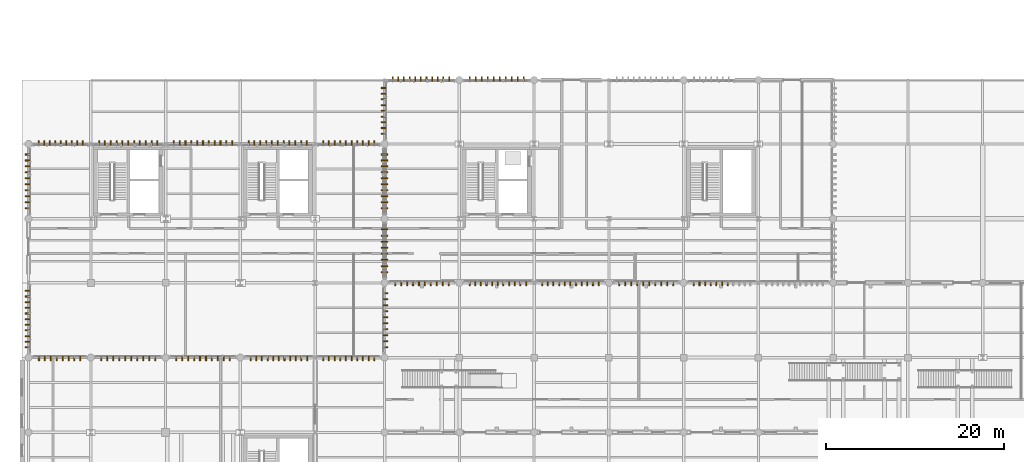
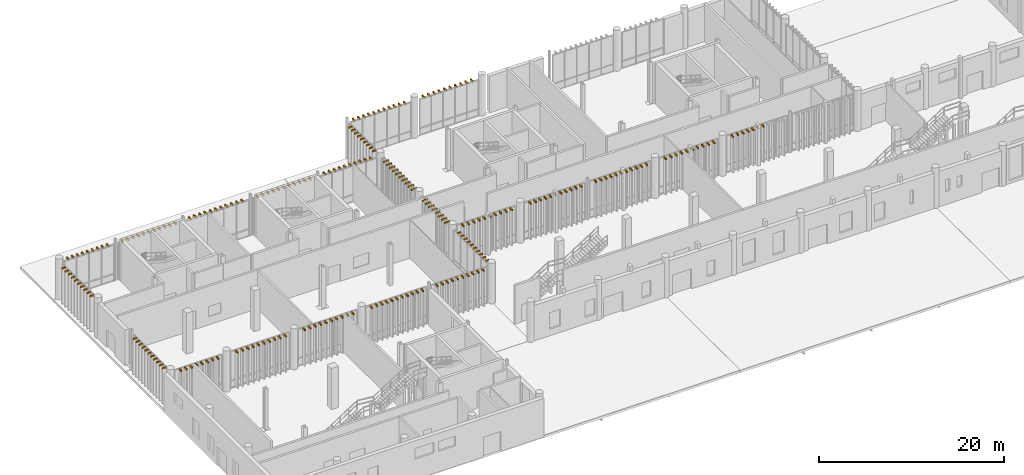
# One storey, part 109 of 112: 247 shading devices.
"""IFC4 building model written with IfcOpenShell, lengths in metres."""

import ifcopenshell
import ifcopenshell.guid

model = None  # the IFC model being written
_history = None  # IfcOwnerHistory: only IFC2X3 demands one
_inside = {}  # id of a spatial element -> (the spatial element, [elements in it])
_under = {}  # id of a project, library or spatial element -> (it, [spatial elements below it])
_declared = {}  # id of a project -> (the project, [libraries it declares])
_typed = {}  # id of a type object -> (the type object, [elements of that type])
_made_of = {}  # id of a material, layer set ... -> (it, [elements and type objects made of it])


def new_model(schema):
    """Start an empty IFC model of exactly this schema.

    Asked for "IFC4X3", IfcOpenShell would pick the latest addendum, in which some entities
    have other attributes; the version numbers below select the first issue.
    IFC2X3 requires an IfcOwnerHistory on every rooted entity: one is made here for all.
    """
    global model, _history
    if schema == "IFC4X3":
        model = ifcopenshell.file(schema_version=(4, 3, 0, 0))
    else:
        model = ifcopenshell.file(schema=schema)
    _inside.clear()
    _under.clear()
    _declared.clear()
    _typed.clear()
    _made_of.clear()
    _history = None
    if model.schema == "IFC2X3":
        org = make("IfcOrganization", Name="unknown")
        user = make(
            "IfcPersonAndOrganization",
            ThePerson=make("IfcPerson", FamilyName="unknown"),
            TheOrganization=org,
        )
        app = make(
            "IfcApplication",
            ApplicationDeveloper=org,
            Version="unknown",
            ApplicationFullName="unknown",
            ApplicationIdentifier="unknown",
        )
        _history = make(
            "IfcOwnerHistory",
            OwningUser=user,
            OwningApplication=app,
            ChangeAction="ADDED",
            CreationDate=0,
        )
    return model


def make(cls, **values):
    """One entity of the class cls with the attributes given. An attribute that is None is left unset."""
    return model.create_entity(
        cls, **{name: value for name, value in values.items() if value is not None}
    )


def rooted(cls, **values):
    """An entity with a GlobalId (a new one), such as an element, a storey or a relation."""
    return make(cls, GlobalId=ifcopenshell.guid.new(), OwnerHistory=_history, **values)


def si_unit(unit_type, name, prefix=None):
    """IfcSIUnit, for example si_unit("LENGTHUNIT", "METRE", prefix="MILLI")."""
    return make("IfcSIUnit", UnitType=unit_type, Prefix=prefix, Name=name)


def assignment(units):
    """IfcUnitAssignment: the units of a project."""
    return None if units is None else make("IfcUnitAssignment", Units=units)


def point(xyz):
    """IfcCartesianPoint."""
    return None if xyz is None else make("IfcCartesianPoint", Coordinates=xyz)


def direction(xyz):
    """IfcDirection."""
    return None if xyz is None else make("IfcDirection", DirectionRatios=xyz)


def frame(location, z_axis=None, x_axis=None):
    """IfcAxis2Placement3D, a coordinate frame: its origin and axes. An axis left out is left unset."""
    return make(
        "IfcAxis2Placement3D",
        Location=point(location),
        Axis=direction(z_axis),
        RefDirection=direction(x_axis),
    )


def frame_2d(location, x_axis=None):
    """IfcAxis2Placement2D, a coordinate frame in the plane: its origin and x axis."""
    return make(
        "IfcAxis2Placement2D", Location=point(location), RefDirection=direction(x_axis)
    )


def origin_with_axes():
    """The frame at (0, 0, 0) with the z axis (0, 0, 1) and the x axis (1, 0, 0) written out."""
    return frame((0.0, 0.0, 0.0), z_axis=(0.0, 0.0, 1.0), x_axis=(1.0, 0.0, 0.0))


def origin_2d_with_axis():
    """The frame at (0, 0) in the plane with the x axis (1, 0) written out."""
    return frame_2d((0.0, 0.0), x_axis=(1.0, 0.0))


def place(relative_to, where):
    """IfcLocalPlacement: puts the frame where relative to a parent placement (None: the world)."""
    return make(
        "IfcLocalPlacement", PlacementRelTo=relative_to, RelativePlacement=where
    )


def context(
    kind, dimensions, precision=None, world=None, true_north=None, identifier=None
):
    """IfcGeometricRepresentationContext, for example the 3D "Model" context."""
    return make(
        "IfcGeometricRepresentationContext",
        ContextIdentifier=identifier,
        ContextType=kind,
        CoordinateSpaceDimension=dimensions,
        Precision=precision,
        WorldCoordinateSystem=world,
        TrueNorth=true_north,
    )


def subcontext(parent, identifier, kind, view, scale=None):
    """IfcGeometricRepresentationSubContext, for example "Body" below "Model"."""
    return make(
        "IfcGeometricRepresentationSubContext",
        ContextIdentifier=identifier,
        ContextType=kind,
        ParentContext=parent,
        TargetScale=scale,
        TargetView=view,
    )


def project(units=None, contexts=None):
    """IfcProject with its units and contexts."""
    return rooted(
        "IfcProject",
        Name="project",
        RepresentationContexts=contexts,
        UnitsInContext=assignment(units),
    )


def spatial(cls, under=None, at=None, **own):
    """A site, building, storey or space (cls), placed at a placement, below another one or the project."""
    s = rooted(cls, ObjectPlacement=at, **own)
    if under is not None:
        _under.setdefault(under.id(), (under, []))[1].append(s)
    return s


def profile(cls, at=None, kind="AREA", **sizes):
    """A parametric profile (cls). Its sizes go by their IFC names, for example OverallWidth=200.0."""
    return make(cls, ProfileType=kind, Position=at, **sizes)


def rectangle(**sizes):
    """IfcRectangleProfileDef."""
    return profile("IfcRectangleProfileDef", **sizes)


def extrude(swept, where, along, depth):
    """IfcExtrudedAreaSolid: the profile swept, set in the frame where, extruded along a direction by depth."""
    return make(
        "IfcExtrudedAreaSolid",
        SweptArea=swept,
        Position=where,
        ExtrudedDirection=direction(along),
        Depth=depth,
    )


def shape(context_of_items, identifier, shape_type, items):
    """IfcShapeRepresentation: the items that make up one representation, for example the "Body"."""
    return make(
        "IfcShapeRepresentation",
        ContextOfItems=context_of_items,
        RepresentationIdentifier=identifier,
        RepresentationType=shape_type,
        Items=items,
    )


def material(Name=None, Category=None):
    """IfcMaterial."""
    return make("IfcMaterial", Name=Name, Category=Category)


def made_of(thing, what):
    """Note that an element or type object is made of a material, layer set ...; save() writes the relation."""
    if what is not None:
        _made_of.setdefault(what.id(), (what, []))[1].append(thing)
    return thing


def type_object(cls, material=None, **own):
    """A type object (cls), such as IfcWallType, which elements share."""
    return made_of(rooted(cls, **own), material)


def element(
    cls,
    number,
    at=None,
    inside=None,
    cuts=None,
    type_object=None,
    material=None,
    context=None,
    identifier="Body",
    shape_type=None,
    held_by="IfcProductDefinitionShape",
    body=None,
    shapes=None,
    **own,
):
    """One element of the class cls, such as IfcWall. Its Tag is "e" and its number.

    at: its placement. inside: the storey or other place that contains it. cuts: it is an
    opening in that element (IfcRelVoidsElement). A single representation is given by context,
    identifier, shape_type and body (its items); several are given by shapes. held_by: the class
    of the entity that holds the representations. save() writes the other relations.
    """
    e = rooted(cls, Tag="e%d" % number, ObjectPlacement=at, **own)
    if body is not None:
        shapes = [shape(context, identifier, shape_type, body)]
    if shapes is not None:
        e.Representation = make(held_by, Representations=shapes)
    if inside is not None:
        _inside.setdefault(inside.id(), (inside, []))[1].append(e)
    if cuts is not None:
        rooted(
            "IfcRelVoidsElement", RelatingBuildingElement=cuts, RelatedOpeningElement=e
        )
    if type_object is not None:
        _typed.setdefault(type_object.id(), (type_object, []))[1].append(e)
    return made_of(e, material)


def aggregate(whole, parts):
    """IfcRelAggregates: a whole, such as a stair, and the parts it consists of."""
    return rooted("IfcRelAggregates", RelatingObject=whole, RelatedObjects=parts)


def save(model, path):
    """Write the relations noted so far, then the file.

    IfcRelAggregates (storeys below a building ...), IfcRelContainedInSpatialStructure (elements
    in a storey), IfcRelDefinesByType, IfcRelAssociatesMaterial and IfcRelDeclares: one each for
    every whole, place, type object, material and project.
    """
    for whole, parts in _under.values():
        aggregate(whole, parts)
    for where, things in _inside.values():
        rooted(
            "IfcRelContainedInSpatialStructure",
            RelatedElements=things,
            RelatingStructure=where,
        )
    for kind, things in _typed.values():
        rooted("IfcRelDefinesByType", RelatedObjects=things, RelatingType=kind)
    for what, things in _made_of.values():
        rooted("IfcRelAssociatesMaterial", RelatedObjects=things, RelatingMaterial=what)
    for by, libraries in _declared.values():
        rooted("IfcRelDeclares", RelatingContext=by, RelatedDefinitions=libraries)
    model.write(path)


model = new_model("IFC4")

# Units and contexts
model_context = context("Model", 3, precision=1e-05, world=origin_with_axes(), true_north=direction((0.0, 1.0)))
body_context = subcontext(model_context, "Body", "Model", "MODEL_VIEW")
ifc_project = project(units=[si_unit("LENGTHUNIT", "METRE"), si_unit("AREAUNIT", "SQUARE_METRE"), si_unit("VOLUMEUNIT", "CUBIC_METRE"), si_unit("PLANEANGLEUNIT", "RADIAN"), si_unit("MASSUNIT", "GRAM", prefix="KILO"), si_unit("THERMODYNAMICTEMPERATUREUNIT", "KELVIN")], contexts=[model_context])

# Site, building, storey
site_placement = place(None, origin_with_axes())
site = spatial("IfcSite", under=ifc_project, at=site_placement, CompositionType="ELEMENT")
building_placement = place(site_placement, origin_with_axes())
building = spatial("IfcBuilding", under=site, at=building_placement, Name="Montbau Bow Law Courts", CompositionType="ELEMENT")
storey_placement = place(building_placement, origin_with_axes())
storey = spatial("IfcBuildingStorey", under=building, at=storey_placement, Name="L00", CompositionType="ELEMENT", Elevation=0.0)

# Shading devices
ifc_material_1 = material(Name="Freeze-Thaw Glazed Cream Ceramic Vertical Louvre", Category="masonry")
shading_device_type_1 = type_object("IfcShadingDeviceType", Name="SH-LVR-CRM", PredefinedType="USERDEFINED", material=ifc_material_1)
for number, where, z_axis, x_axis, name in (
    (1, (47.985, 38.89, 4.64), (0.0, 0.0, 1.0), (0.0, -1.0, 0.0), "LVR-L00-1084:shd_1084"),
    (2, (48.655, 38.89, 4.64), (0.0, 0.0, 1.0), (0.0, -1.0, 0.0), "LVR-L00-1085:shd_1085"),
    (3, (49.325, 38.89, 4.64), (0.0, 0.0, 1.0), (0.0, -1.0, 0.0), "LVR-L00-1086:shd_1086"),
    (4, (49.995, 38.89, 4.64), (0.0, 0.0, 1.0), (0.0, -1.0, 0.0), "LVR-L00-1087:shd_1087"),
    (5, (50.665, 38.89, 4.64), (0.0, 0.0, 1.0), (0.0, -1.0, 0.0), "LVR-L00-1088:shd_1088"),
    (6, (51.335, 38.89, 4.64), (0.0, 0.0, 1.0), (0.0, -1.0, 0.0), "LVR-L00-1089:shd_1089"),
    (7, (52.005, 38.89, 4.64), (0.0, 0.0, 1.0), (0.0, -1.0, 0.0), "LVR-L00-1090:shd_1090"),
    (8, (52.675, 38.89, 4.64), (0.0, 0.0, 1.0), (0.0, -1.0, 0.0), "LVR-L00-1091:shd_1091"),
    (9, (53.345, 38.89, 4.64), (0.0, 0.0, 1.0), (0.0, -1.0, 0.0), "LVR-L00-1092:shd_1092"),
    (10, (54.015, 38.89, 4.64), (0.0, 0.0, 1.0), (0.0, -1.0, 0.0), "LVR-L00-1093:shd_1093"),
    (11, (56.35, 38.89, 4.64), (0.0, 0.0, 1.0), (0.0, -1.0, 0.0), "LVR-L00-1094:shd_1094"),
    (12, (56.984, 38.89, 4.64), (0.0, 0.0, 1.0), (0.0, -1.0, 0.0), "LVR-L00-1095:shd_1095"),
    (13, (57.619, 38.89, 4.64), (0.0, 0.0, 1.0), (0.0, -1.0, 0.0), "LVR-L00-1096:shd_1096"),
    (14, (58.254, 38.89, 4.64), (0.0, 0.0, 1.0), (0.0, -1.0, 0.0), "LVR-L00-1097:shd_1097"),
    (15, (58.889, 38.89, 4.64), (0.0, 0.0, 1.0), (0.0, -1.0, 0.0), "LVR-L00-1098:shd_1098"),
    (16, (59.523, 38.89, 4.64), (0.0, 0.0, 1.0), (0.0, -1.0, 0.0), "LVR-L00-1099:shd_1099"),
    (17, (60.158, 38.89, 4.64), (0.0, 0.0, 1.0), (0.0, -1.0, 0.0), "LVR-L00-1100:shd_1100"),
    (18, (60.793, 38.89, 4.64), (0.0, 0.0, 1.0), (0.0, -1.0, 0.0), "LVR-L00-1101:shd_1101"),
    (19, (61.428, 38.89, 4.64), (0.0, 0.0, 1.0), (0.0, -1.0, 0.0), "LVR-L00-1102:shd_1102"),
    (20, (62.062, 38.89, 4.64), (0.0, 0.0, 1.0), (0.0, -1.0, 0.0), "LVR-L00-1103:shd_1103"),
    (21, (62.697, 38.89, 4.64), (0.0, 0.0, 1.0), (0.0, -1.0, 0.0), "LVR-L00-1104:shd_1104"),
    (22, (64.503, 38.89, 4.64), (0.0, 0.0, 1.0), (0.0, -1.0, 0.0), "LVR-L00-1105:shd_1105"),
    (23, (65.137, 38.89, 4.64), (0.0, 0.0, 1.0), (0.0, -1.0, 0.0), "LVR-L00-1106:shd_1106"),
    (24, (65.772, 38.89, 4.64), (0.0, 0.0, 1.0), (0.0, -1.0, 0.0), "LVR-L00-1107:shd_1107"),
    (25, (66.407, 38.89, 4.64), (0.0, 0.0, 1.0), (0.0, -1.0, 0.0), "LVR-L00-1108:shd_1108"),
    (26, (67.042, 38.89, 4.64), (0.0, 0.0, 1.0), (0.0, -1.0, 0.0), "LVR-L00-1109:shd_1109"),
    (27, (67.676, 38.89, 4.64), (0.0, 0.0, 1.0), (0.0, -1.0, 0.0), "LVR-L00-1110:shd_1110"),
    (28, (68.311, 38.89, 4.64), (0.0, 0.0, 1.0), (0.0, -1.0, 0.0), "LVR-L00-1111:shd_1111"),
    (29, (68.946, 38.89, 4.64), (0.0, 0.0, 1.0), (0.0, -1.0, 0.0), "LVR-L00-1112:shd_1112"),
    (30, (69.581, 38.89, 4.64), (0.0, 0.0, 1.0), (0.0, -1.0, 0.0), "LVR-L00-1113:shd_1113"),
    (31, (70.215, 38.89, 4.64), (0.0, 0.0, 1.0), (0.0, -1.0, 0.0), "LVR-L00-1114:shd_1114"),
    (32, (70.85, 38.89, 4.64), (0.0, 0.0, 1.0), (0.0, -1.0, 0.0), "LVR-L00-1115:shd_1115"),
    (33, (73.185, 38.89, 4.64), (0.0, 0.0, 1.0), (0.0, -1.0, 0.0), "LVR-L00-1116:shd_1116"),
    (34, (73.855, 38.89, 4.64), (0.0, 0.0, 1.0), (0.0, -1.0, 0.0), "LVR-L00-1117:shd_1117"),
    (35, (74.525, 38.89, 4.64), (0.0, 0.0, 1.0), (0.0, -1.0, 0.0), "LVR-L00-1118:shd_1118"),
    (36, (75.195, 38.89, 4.64), (0.0, 0.0, 1.0), (0.0, -1.0, 0.0), "LVR-L00-1119:shd_1119"),
    (37, (75.865, 38.89, 4.64), (0.0, 0.0, 1.0), (0.0, -1.0, 0.0), "LVR-L00-1120:shd_1120"),
    (38, (76.535, 38.89, 4.64), (0.0, 0.0, 1.0), (0.0, -1.0, 0.0), "LVR-L00-1121:shd_1121"),
    (39, (77.205, 38.89, 4.64), (0.0, 0.0, 1.0), (0.0, -1.0, 0.0), "LVR-L00-1122:shd_1122"),
    (40, (77.875, 38.89, 4.64), (0.0, 0.0, 1.0), (0.0, -1.0, 0.0), "LVR-L00-1123:shd_1123"),
    (41, (78.545, 38.89, 4.64), (0.0, 0.0, 1.0), (0.0, -1.0, 0.0), "LVR-L00-1124:shd_1124"),
    (42, (79.215, 38.89, 4.64), (0.0, 0.0, 1.0), (0.0, -1.0, 0.0), "LVR-L00-1125:shd_1125"),
    (43, (81.55, 38.89, 4.64), (0.0, 0.0, 1.0), (0.0, -1.0, 0.0), "LVR-L00-1126:shd_1126"),
    (44, (82.184, 38.89, 4.64), (0.0, 0.0, 1.0), (0.0, -1.0, 0.0), "LVR-L00-1127:shd_1127"),
    (45, (82.819, 38.89, 4.64), (0.0, 0.0, 1.0), (0.0, -1.0, 0.0), "LVR-L00-1128:shd_1128"),
    (46, (83.454, 38.89, 4.64), (0.0, 0.0, 1.0), (0.0, -1.0, 0.0), "LVR-L00-1129:shd_1129"),
    (47, (84.089, 38.89, 4.64), (0.0, 0.0, 1.0), (0.0, -1.0, 0.0), "LVR-L00-1130:shd_1130"),
    (48, (84.723, 38.89, 4.64), (0.0, 0.0, 1.0), (0.0, -1.0, 0.0), "LVR-L00-1131:shd_1131"),
    (49, (85.358, 38.89, 4.64), (0.0, 0.0, 1.0), (0.0, -1.0, 0.0), "LVR-L00-1132:shd_1132"),
    (50, (47.703, 61.91, 4.64), (0.0, 0.0, 1.0), (0.0, 1.0, 0.0), "LVR-L00-1148:shd_1148"),
    (51, (48.338, 61.91, 4.64), (0.0, 0.0, 1.0), (0.0, 1.0, 0.0), "LVR-L00-1149:shd_1149"),
    (52, (48.972, 61.91, 4.64), (0.0, 0.0, 1.0), (0.0, 1.0, 0.0), "LVR-L00-1150:shd_1150"),
    (53, (49.607, 61.91, 4.64), (0.0, 0.0, 1.0), (0.0, 1.0, 0.0), "LVR-L00-1151:shd_1151"),
    (54, (50.242, 61.91, 4.64), (0.0, 0.0, 1.0), (0.0, 1.0, 0.0), "LVR-L00-1152:shd_1152"),
    (55, (50.877, 61.91, 4.64), (0.0, 0.0, 1.0), (0.0, 1.0, 0.0), "LVR-L00-1153:shd_1153"),
    (56, (51.511, 61.91, 4.64), (0.0, 0.0, 1.0), (0.0, 1.0, 0.0), "LVR-L00-1154:shd_1154"),
    (57, (52.146, 61.91, 4.64), (0.0, 0.0, 1.0), (0.0, 1.0, 0.0), "LVR-L00-1155:shd_1155"),
    (58, (52.781, 61.91, 4.64), (0.0, 0.0, 1.0), (0.0, 1.0, 0.0), "LVR-L00-1156:shd_1156"),
    (59, (53.416, 61.91, 4.64), (0.0, 0.0, 1.0), (0.0, 1.0, 0.0), "LVR-L00-1157:shd_1157"),
    (60, (54.05, 61.91, 4.64), (0.0, 0.0, 1.0), (0.0, 1.0, 0.0), "LVR-L00-1158:shd_1158"),
    (61, (56.385, 61.91, 4.64), (0.0, 0.0, 1.0), (0.0, 1.0, 0.0), "LVR-L00-1159:shd_1159"),
    (62, (57.055, 61.91, 4.64), (0.0, 0.0, 1.0), (0.0, 1.0, 0.0), "LVR-L00-1160:shd_1160"),
    (63, (57.725, 61.91, 4.64), (0.0, 0.0, 1.0), (0.0, 1.0, 0.0), "LVR-L00-1161:shd_1161"),
    (64, (58.395, 61.91, 4.64), (0.0, 0.0, 1.0), (0.0, 1.0, 0.0), "LVR-L00-1162:shd_1162"),
    (65, (59.065, 61.91, 4.64), (0.0, 0.0, 1.0), (0.0, 1.0, 0.0), "LVR-L00-1163:shd_1163"),
    (66, (59.735, 61.91, 4.64), (0.0, 0.0, 1.0), (0.0, 1.0, 0.0), "LVR-L00-1164:shd_1164"),
    (67, (60.405, 61.91, 4.64), (0.0, 0.0, 1.0), (0.0, 1.0, 0.0), "LVR-L00-1165:shd_1165"),
    (68, (61.075, 61.91, 4.64), (0.0, 0.0, 1.0), (0.0, 1.0, 0.0), "LVR-L00-1166:shd_1166"),
    (69, (61.745, 61.91, 4.64), (0.0, 0.0, 1.0), (0.0, 1.0, 0.0), "LVR-L00-1167:shd_1167"),
    (70, (62.415, 61.91, 4.64), (0.0, 0.0, 1.0), (0.0, 1.0, 0.0), "LVR-L00-1168:shd_1168"),
    (71, (46.69, 40.201, 4.64), (0.0, 0.0, 1.0), (-1.0, 0.0, 0.0), "LVR-L00-1187:shd_1187"),
    (72, (46.69, 40.886, 4.64), (0.0, 0.0, 1.0), (-1.0, 0.0, 0.0), "LVR-L00-1188:shd_1188"),
    (73, (46.69, 41.572, 4.64), (0.0, 0.0, 1.0), (-1.0, 0.0, 0.0), "LVR-L00-1189:shd_1189"),
    (74, (46.69, 42.257, 4.64), (0.0, 0.0, 1.0), (-1.0, 0.0, 0.0), "LVR-L00-1190:shd_1190"),
    (75, (46.69, 42.943, 4.64), (0.0, 0.0, 1.0), (-1.0, 0.0, 0.0), "LVR-L00-1191:shd_1191"),
    (76, (46.69, 43.628, 4.64), (0.0, 0.0, 1.0), (-1.0, 0.0, 0.0), "LVR-L00-1192:shd_1192"),
    (77, (46.69, 44.314, 4.64), (0.0, 0.0, 1.0), (-1.0, 0.0, 0.0), "LVR-L00-1193:shd_1193"),
    (78, (46.69, 44.999, 4.64), (0.0, 0.0, 1.0), (-1.0, 0.0, 0.0), "LVR-L00-1194:shd_1194"),
    (79, (46.69, 47.385, 4.64), (0.0, 0.0, 1.0), (-1.0, 0.0, 0.0), "LVR-L00-1195:shd_1195"),
    (80, (46.69, 48.055, 4.64), (0.0, 0.0, 1.0), (-1.0, 0.0, 0.0), "LVR-L00-1196:shd_1196"),
    (81, (46.69, 48.725, 4.64), (0.0, 0.0, 1.0), (-1.0, 0.0, 0.0), "LVR-L00-1197:shd_1197"),
    (82, (46.69, 49.395, 4.64), (0.0, 0.0, 1.0), (-1.0, 0.0, 0.0), "LVR-L00-1198:shd_1198"),
    (83, (46.69, 50.065, 4.64), (0.0, 0.0, 1.0), (-1.0, 0.0, 0.0), "LVR-L00-1199:shd_1199"),
    (84, (46.69, 50.735, 4.64), (0.0, 0.0, 1.0), (-1.0, 0.0, 0.0), "LVR-L00-1200:shd_1200"),
    (85, (46.69, 51.405, 4.64), (0.0, 0.0, 1.0), (-1.0, 0.0, 0.0), "LVR-L00-1201:shd_1201"),
    (86, (46.69, 52.075, 4.64), (0.0, 0.0, 1.0), (-1.0, 0.0, 0.0), "LVR-L00-1202:shd_1202"),
    (87, (46.69, 52.745, 4.64), (0.0, 0.0, 1.0), (-1.0, 0.0, 0.0), "LVR-L00-1203:shd_1203"),
    (88, (46.69, 53.415, 4.64), (0.0, 0.0, 1.0), (-1.0, 0.0, 0.0), "LVR-L00-1204:shd_1204"),
    (89, (46.69, 55.757, 4.64), (0.0, 0.0, 1.0), (-1.0, 0.0, 0.0), "LVR-L00-1205:shd_1205"),
    (90, (46.69, 56.398, 4.64), (0.0, 0.0, 1.0), (-1.0, 0.0, 0.0), "LVR-L00-1206:shd_1206"),
    (91, (46.69, 57.04, 4.64), (0.0, 0.0, 1.0), (-1.0, 0.0, 0.0), "LVR-L00-1207:shd_1207"),
    (92, (46.69, 57.682, 4.64), (0.0, 0.0, 1.0), (-1.0, 0.0, 0.0), "LVR-L00-1208:shd_1208"),
    (93, (46.69, 58.323, 4.64), (0.0, 0.0, 1.0), (-1.0, 0.0, 0.0), "LVR-L00-1209:shd_1209"),
    (94, (46.69, 58.965, 4.64), (0.0, 0.0, 1.0), (-1.0, 0.0, 0.0), "LVR-L00-1210:shd_1210"),
    (95, (46.69, 59.607, 4.64), (0.0, 0.0, 1.0), (-1.0, 0.0, 0.0), "LVR-L00-1211:shd_1211"),
    (96, (46.69, 60.249, 4.64), (0.0, 0.0, 1.0), (-1.0, 0.0, 0.0), "LVR-L00-1212:shd_1212"),
    (97, (46.69, 60.89, 4.64), (0.0, 0.0, 1.0), (-1.0, 0.0, 0.0), "LVR-L00-1213:shd_1213"),
):
    element("IfcShadingDevice", number, at=place(None, frame(where, z_axis=z_axis, x_axis=x_axis)), inside=storey, type_object=shading_device_type_1, Name=name, ObjectType="LOUVRE", PredefinedType="USERDEFINED", context=body_context, shape_type="SweptSolid", body=[
        extrude(rectangle(XDim=0.48, YDim=0.12, at=origin_2d_with_axis()), origin_with_axes(), (0.0, 0.0, 1.0), 0.18),
    ])
ifc_material_2 = material(Name="Freeze-Thaw Glazed Terracotta-Red Ceramic Vertical Louvre", Category="masonry")
shading_device_type_2 = type_object("IfcShadingDeviceType", Name="SH-LVR-RED", PredefinedType="USERDEFINED", material=ifc_material_2)
for number, where, z_axis, x_axis, name in (
    (98, (7.978, 30.49, 4.64), (0.0, 0.0, 1.0), (0.0, -1.0, 0.0), "LVR-L00-0001:shd_0001"),
    (99, (8.642, 30.49, 4.64), (0.0, 0.0, 1.0), (0.0, -1.0, 0.0), "LVR-L00-0002:shd_0002"),
    (100, (9.305, 30.49, 4.64), (0.0, 0.0, 1.0), (0.0, -1.0, 0.0), "LVR-L00-0003:shd_0003"),
    (101, (9.968, 30.49, 4.64), (0.0, 0.0, 1.0), (0.0, -1.0, 0.0), "LVR-L00-0004:shd_0004"),
    (102, (10.632, 30.49, 4.64), (0.0, 0.0, 1.0), (0.0, -1.0, 0.0), "LVR-L00-0005:shd_0005"),
    (103, (11.295, 30.49, 4.64), (0.0, 0.0, 1.0), (0.0, -1.0, 0.0), "LVR-L00-0006:shd_0006"),
    (104, (11.958, 30.49, 4.64), (0.0, 0.0, 1.0), (0.0, -1.0, 0.0), "LVR-L00-0007:shd_0007"),
    (105, (12.622, 30.49, 4.64), (0.0, 0.0, 1.0), (0.0, -1.0, 0.0), "LVR-L00-0008:shd_0008"),
    (106, (14.985, 30.49, 4.64), (0.0, 0.0, 1.0), (0.0, -1.0, 0.0), "LVR-L00-0009:shd_0009"),
    (107, (15.655, 30.49, 4.64), (0.0, 0.0, 1.0), (0.0, -1.0, 0.0), "LVR-L00-0010:shd_0010"),
    (108, (16.325, 30.49, 4.64), (0.0, 0.0, 1.0), (0.0, -1.0, 0.0), "LVR-L00-0011:shd_0011"),
    (109, (16.995, 30.49, 4.64), (0.0, 0.0, 1.0), (0.0, -1.0, 0.0), "LVR-L00-0012:shd_0012"),
    (110, (17.665, 30.49, 4.64), (0.0, 0.0, 1.0), (0.0, -1.0, 0.0), "LVR-L00-0013:shd_0013"),
    (111, (18.335, 30.49, 4.64), (0.0, 0.0, 1.0), (0.0, -1.0, 0.0), "LVR-L00-0014:shd_0014"),
    (112, (19.005, 30.49, 4.64), (0.0, 0.0, 1.0), (0.0, -1.0, 0.0), "LVR-L00-0015:shd_0015"),
    (113, (19.675, 30.49, 4.64), (0.0, 0.0, 1.0), (0.0, -1.0, 0.0), "LVR-L00-0016:shd_0016"),
    (114, (20.345, 30.49, 4.64), (0.0, 0.0, 1.0), (0.0, -1.0, 0.0), "LVR-L00-0017:shd_0017"),
    (115, (21.015, 30.49, 4.64), (0.0, 0.0, 1.0), (0.0, -1.0, 0.0), "LVR-L00-0018:shd_0018"),
    (116, (23.385, 30.49, 4.64), (0.0, 0.0, 1.0), (0.0, -1.0, 0.0), "LVR-L00-0019:shd_0019"),
    (117, (24.055, 30.49, 4.64), (0.0, 0.0, 1.0), (0.0, -1.0, 0.0), "LVR-L00-0020:shd_0020"),
    (118, (24.725, 30.49, 4.64), (0.0, 0.0, 1.0), (0.0, -1.0, 0.0), "LVR-L00-0021:shd_0021"),
    (119, (25.395, 30.49, 4.64), (0.0, 0.0, 1.0), (0.0, -1.0, 0.0), "LVR-L00-0022:shd_0022"),
    (120, (26.065, 30.49, 4.64), (0.0, 0.0, 1.0), (0.0, -1.0, 0.0), "LVR-L00-0023:shd_0023"),
    (121, (26.735, 30.49, 4.64), (0.0, 0.0, 1.0), (0.0, -1.0, 0.0), "LVR-L00-0024:shd_0024"),
    (122, (27.405, 30.49, 4.64), (0.0, 0.0, 1.0), (0.0, -1.0, 0.0), "LVR-L00-0025:shd_0025"),
    (123, (28.075, 30.49, 4.64), (0.0, 0.0, 1.0), (0.0, -1.0, 0.0), "LVR-L00-0026:shd_0026"),
    (124, (28.745, 30.49, 4.64), (0.0, 0.0, 1.0), (0.0, -1.0, 0.0), "LVR-L00-0027:shd_0027"),
    (125, (29.415, 30.49, 4.64), (0.0, 0.0, 1.0), (0.0, -1.0, 0.0), "LVR-L00-0028:shd_0028"),
    (126, (31.75, 30.49, 4.64), (0.0, 0.0, 1.0), (0.0, -1.0, 0.0), "LVR-L00-0029:shd_0029"),
    (127, (32.385, 30.49, 4.64), (0.0, 0.0, 1.0), (0.0, -1.0, 0.0), "LVR-L00-0030:shd_0030"),
    (128, (33.019, 30.49, 4.64), (0.0, 0.0, 1.0), (0.0, -1.0, 0.0), "LVR-L00-0031:shd_0031"),
    (129, (33.654, 30.49, 4.64), (0.0, 0.0, 1.0), (0.0, -1.0, 0.0), "LVR-L00-0032:shd_0032"),
    (130, (34.289, 30.49, 4.64), (0.0, 0.0, 1.0), (0.0, -1.0, 0.0), "LVR-L00-0033:shd_0033"),
    (131, (34.924, 30.49, 4.64), (0.0, 0.0, 1.0), (0.0, -1.0, 0.0), "LVR-L00-0034:shd_0034"),
    (132, (35.558, 30.49, 4.64), (0.0, 0.0, 1.0), (0.0, -1.0, 0.0), "LVR-L00-0035:shd_0035"),
    (133, (36.193, 30.49, 4.64), (0.0, 0.0, 1.0), (0.0, -1.0, 0.0), "LVR-L00-0036:shd_0036"),
    (134, (36.828, 30.49, 4.64), (0.0, 0.0, 1.0), (0.0, -1.0, 0.0), "LVR-L00-0037:shd_0037"),
    (135, (37.463, 30.49, 4.64), (0.0, 0.0, 1.0), (0.0, -1.0, 0.0), "LVR-L00-0038:shd_0038"),
    (136, (38.097, 30.49, 4.64), (0.0, 0.0, 1.0), (0.0, -1.0, 0.0), "LVR-L00-0039:shd_0039"),
    (137, (39.906, 30.49, 4.64), (0.0, 0.0, 1.0), (0.0, -1.0, 0.0), "LVR-L00-0040:shd_0040"),
    (138, (40.544, 30.49, 4.64), (0.0, 0.0, 1.0), (0.0, -1.0, 0.0), "LVR-L00-0041:shd_0041"),
    (139, (41.182, 30.49, 4.64), (0.0, 0.0, 1.0), (0.0, -1.0, 0.0), "LVR-L00-0042:shd_0042"),
    (140, (41.82, 30.49, 4.64), (0.0, 0.0, 1.0), (0.0, -1.0, 0.0), "LVR-L00-0043:shd_0043"),
    (141, (42.458, 30.49, 4.64), (0.0, 0.0, 1.0), (0.0, -1.0, 0.0), "LVR-L00-0044:shd_0044"),
    (142, (43.095, 30.49, 4.64), (0.0, 0.0, 1.0), (0.0, -1.0, 0.0), "LVR-L00-0045:shd_0045"),
    (143, (43.733, 30.49, 4.64), (0.0, 0.0, 1.0), (0.0, -1.0, 0.0), "LVR-L00-0046:shd_0046"),
    (144, (44.371, 30.49, 4.64), (0.0, 0.0, 1.0), (0.0, -1.0, 0.0), "LVR-L00-0047:shd_0047"),
    (145, (45.009, 30.49, 4.64), (0.0, 0.0, 1.0), (0.0, -1.0, 0.0), "LVR-L00-0048:shd_0048"),
    (146, (45.647, 30.49, 4.64), (0.0, 0.0, 1.0), (0.0, -1.0, 0.0), "LVR-L00-0049:shd_0049"),
    (147, (7.937, 54.71, 4.64), (0.0, 0.0, 1.0), (0.0, 1.0, 0.0), "LVR-L00-0050:shd_0050"),
    (148, (8.559, 54.71, 4.64), (0.0, 0.0, 1.0), (0.0, 1.0, 0.0), "LVR-L00-0051:shd_0051"),
    (149, (9.18, 54.71, 4.64), (0.0, 0.0, 1.0), (0.0, 1.0, 0.0), "LVR-L00-0052:shd_0052"),
    (150, (9.802, 54.71, 4.64), (0.0, 0.0, 1.0), (0.0, 1.0, 0.0), "LVR-L00-0053:shd_0053"),
    (151, (10.424, 54.71, 4.64), (0.0, 0.0, 1.0), (0.0, 1.0, 0.0), "LVR-L00-0054:shd_0054"),
    (152, (11.046, 54.71, 4.64), (0.0, 0.0, 1.0), (0.0, 1.0, 0.0), "LVR-L00-0055:shd_0055"),
    (153, (11.668, 54.71, 4.64), (0.0, 0.0, 1.0), (0.0, 1.0, 0.0), "LVR-L00-0056:shd_0056"),
    (154, (12.289, 54.71, 4.64), (0.0, 0.0, 1.0), (0.0, 1.0, 0.0), "LVR-L00-0057:shd_0057"),
    (155, (12.911, 54.71, 4.64), (0.0, 0.0, 1.0), (0.0, 1.0, 0.0), "LVR-L00-0058:shd_0058"),
    (156, (14.723, 54.71, 4.64), (0.0, 0.0, 1.0), (0.0, 1.0, 0.0), "LVR-L00-0059:shd_0059"),
    (157, (15.379, 54.71, 4.64), (0.0, 0.0, 1.0), (0.0, 1.0, 0.0), "LVR-L00-0060:shd_0060"),
    (158, (16.034, 54.71, 4.64), (0.0, 0.0, 1.0), (0.0, 1.0, 0.0), "LVR-L00-0061:shd_0061"),
    (159, (16.69, 54.71, 4.64), (0.0, 0.0, 1.0), (0.0, 1.0, 0.0), "LVR-L00-0062:shd_0062"),
    (160, (17.345, 54.71, 4.64), (0.0, 0.0, 1.0), (0.0, 1.0, 0.0), "LVR-L00-0063:shd_0063"),
    (161, (18.001, 54.71, 4.64), (0.0, 0.0, 1.0), (0.0, 1.0, 0.0), "LVR-L00-0064:shd_0064"),
    (162, (18.656, 54.71, 4.64), (0.0, 0.0, 1.0), (0.0, 1.0, 0.0), "LVR-L00-0065:shd_0065"),
    (163, (19.311, 54.71, 4.64), (0.0, 0.0, 1.0), (0.0, 1.0, 0.0), "LVR-L00-0066:shd_0066"),
    (164, (19.967, 54.71, 4.64), (0.0, 0.0, 1.0), (0.0, 1.0, 0.0), "LVR-L00-0067:shd_0067"),
    (165, (20.622, 54.71, 4.64), (0.0, 0.0, 1.0), (0.0, 1.0, 0.0), "LVR-L00-0068:shd_0068"),
    (166, (21.278, 54.71, 4.64), (0.0, 0.0, 1.0), (0.0, 1.0, 0.0), "LVR-L00-0069:shd_0069"),
    (167, (23.122, 54.71, 4.64), (0.0, 0.0, 1.0), (0.0, 1.0, 0.0), "LVR-L00-0070:shd_0070"),
    (168, (23.778, 54.71, 4.64), (0.0, 0.0, 1.0), (0.0, 1.0, 0.0), "LVR-L00-0071:shd_0071"),
    (169, (24.433, 54.71, 4.64), (0.0, 0.0, 1.0), (0.0, 1.0, 0.0), "LVR-L00-0072:shd_0072"),
    (170, (25.089, 54.71, 4.64), (0.0, 0.0, 1.0), (0.0, 1.0, 0.0), "LVR-L00-0073:shd_0073"),
    (171, (25.744, 54.71, 4.64), (0.0, 0.0, 1.0), (0.0, 1.0, 0.0), "LVR-L00-0074:shd_0074"),
    (172, (26.4, 54.71, 4.64), (0.0, 0.0, 1.0), (0.0, 1.0, 0.0), "LVR-L00-0075:shd_0075"),
    (173, (27.055, 54.71, 4.64), (0.0, 0.0, 1.0), (0.0, 1.0, 0.0), "LVR-L00-0076:shd_0076"),
    (174, (27.711, 54.71, 4.64), (0.0, 0.0, 1.0), (0.0, 1.0, 0.0), "LVR-L00-0077:shd_0077"),
    (175, (28.366, 54.71, 4.64), (0.0, 0.0, 1.0), (0.0, 1.0, 0.0), "LVR-L00-0078:shd_0078"),
    (176, (29.022, 54.71, 4.64), (0.0, 0.0, 1.0), (0.0, 1.0, 0.0), "LVR-L00-0079:shd_0079"),
    (177, (29.677, 54.71, 4.64), (0.0, 0.0, 1.0), (0.0, 1.0, 0.0), "LVR-L00-0080:shd_0080"),
    (178, (31.522, 54.71, 4.64), (0.0, 0.0, 1.0), (0.0, 1.0, 0.0), "LVR-L00-0081:shd_0081"),
    (179, (32.178, 54.71, 4.64), (0.0, 0.0, 1.0), (0.0, 1.0, 0.0), "LVR-L00-0082:shd_0082"),
    (180, (32.833, 54.71, 4.64), (0.0, 0.0, 1.0), (0.0, 1.0, 0.0), "LVR-L00-0083:shd_0083"),
    (181, (33.489, 54.71, 4.64), (0.0, 0.0, 1.0), (0.0, 1.0, 0.0), "LVR-L00-0084:shd_0084"),
    (182, (34.144, 54.71, 4.64), (0.0, 0.0, 1.0), (0.0, 1.0, 0.0), "LVR-L00-0085:shd_0085"),
    (183, (34.799, 54.71, 4.64), (0.0, 0.0, 1.0), (0.0, 1.0, 0.0), "LVR-L00-0086:shd_0086"),
    (184, (35.455, 54.71, 4.64), (0.0, 0.0, 1.0), (0.0, 1.0, 0.0), "LVR-L00-0087:shd_0087"),
    (185, (36.11, 54.71, 4.64), (0.0, 0.0, 1.0), (0.0, 1.0, 0.0), "LVR-L00-0088:shd_0088"),
    (186, (36.766, 54.71, 4.64), (0.0, 0.0, 1.0), (0.0, 1.0, 0.0), "LVR-L00-0089:shd_0089"),
    (187, (37.421, 54.71, 4.64), (0.0, 0.0, 1.0), (0.0, 1.0, 0.0), "LVR-L00-0090:shd_0090"),
    (188, (38.077, 54.71, 4.64), (0.0, 0.0, 1.0), (0.0, 1.0, 0.0), "LVR-L00-0091:shd_0091"),
    (189, (39.906, 54.71, 4.64), (0.0, 0.0, 1.0), (0.0, 1.0, 0.0), "LVR-L00-0092:shd_0092"),
    (190, (40.544, 54.71, 4.64), (0.0, 0.0, 1.0), (0.0, 1.0, 0.0), "LVR-L00-0093:shd_0093"),
    (191, (41.182, 54.71, 4.64), (0.0, 0.0, 1.0), (0.0, 1.0, 0.0), "LVR-L00-0094:shd_0094"),
    (192, (41.82, 54.71, 4.64), (0.0, 0.0, 1.0), (0.0, 1.0, 0.0), "LVR-L00-0095:shd_0095"),
    (193, (42.458, 54.71, 4.64), (0.0, 0.0, 1.0), (0.0, 1.0, 0.0), "LVR-L00-0096:shd_0096"),
    (194, (43.095, 54.71, 4.64), (0.0, 0.0, 1.0), (0.0, 1.0, 0.0), "LVR-L00-0097:shd_0097"),
    (195, (43.733, 54.71, 4.64), (0.0, 0.0, 1.0), (0.0, 1.0, 0.0), "LVR-L00-0098:shd_0098"),
    (196, (44.371, 54.71, 4.64), (0.0, 0.0, 1.0), (0.0, 1.0, 0.0), "LVR-L00-0099:shd_0099"),
    (197, (45.009, 54.71, 4.64), (0.0, 0.0, 1.0), (0.0, 1.0, 0.0), "LVR-L00-0100:shd_0100"),
    (198, (45.647, 54.71, 4.64), (0.0, 0.0, 1.0), (0.0, 1.0, 0.0), "LVR-L00-0101:shd_0101"),
    (199, (6.69, 31.75, 4.64), (0.0, 0.0, 1.0), (-1.0, 0.0, 0.0), "LVR-L00-0102:shd_0102"),
    (200, (6.69, 32.385, 4.64), (0.0, 0.0, 1.0), (-1.0, 0.0, 0.0), "LVR-L00-0103:shd_0103"),
    (201, (6.69, 33.019, 4.64), (0.0, 0.0, 1.0), (-1.0, 0.0, 0.0), "LVR-L00-0104:shd_0104"),
    (202, (6.69, 33.654, 4.64), (0.0, 0.0, 1.0), (-1.0, 0.0, 0.0), "LVR-L00-0105:shd_0105"),
    (203, (6.69, 34.289, 4.64), (0.0, 0.0, 1.0), (-1.0, 0.0, 0.0), "LVR-L00-0106:shd_0106"),
    (204, (6.69, 34.924, 4.64), (0.0, 0.0, 1.0), (-1.0, 0.0, 0.0), "LVR-L00-0107:shd_0107"),
    (205, (6.69, 35.558, 4.64), (0.0, 0.0, 1.0), (-1.0, 0.0, 0.0), "LVR-L00-0108:shd_0108"),
    (206, (6.69, 36.193, 4.64), (0.0, 0.0, 1.0), (-1.0, 0.0, 0.0), "LVR-L00-0109:shd_0109"),
    (207, (6.69, 36.828, 4.64), (0.0, 0.0, 1.0), (-1.0, 0.0, 0.0), "LVR-L00-0110:shd_0110"),
    (208, (6.69, 37.463, 4.64), (0.0, 0.0, 1.0), (-1.0, 0.0, 0.0), "LVR-L00-0111:shd_0111"),
    (209, (6.69, 38.097, 4.64), (0.0, 0.0, 1.0), (-1.0, 0.0, 0.0), "LVR-L00-0112:shd_0112"),
    (210, (6.69, 47.385, 4.64), (0.0, 0.0, 1.0), (-1.0, 0.0, 0.0), "LVR-L00-0113:shd_0113"),
    (211, (6.69, 48.055, 4.64), (0.0, 0.0, 1.0), (-1.0, 0.0, 0.0), "LVR-L00-0114:shd_0114"),
    (212, (6.69, 48.725, 4.64), (0.0, 0.0, 1.0), (-1.0, 0.0, 0.0), "LVR-L00-0115:shd_0115"),
    (213, (6.69, 49.395, 4.64), (0.0, 0.0, 1.0), (-1.0, 0.0, 0.0), "LVR-L00-0116:shd_0116"),
    (214, (6.69, 50.065, 4.64), (0.0, 0.0, 1.0), (-1.0, 0.0, 0.0), "LVR-L00-0117:shd_0117"),
    (215, (6.69, 50.735, 4.64), (0.0, 0.0, 1.0), (-1.0, 0.0, 0.0), "LVR-L00-0118:shd_0118"),
    (216, (6.69, 51.405, 4.64), (0.0, 0.0, 1.0), (-1.0, 0.0, 0.0), "LVR-L00-0119:shd_0119"),
    (217, (6.69, 52.075, 4.64), (0.0, 0.0, 1.0), (-1.0, 0.0, 0.0), "LVR-L00-0120:shd_0120"),
    (218, (6.69, 52.745, 4.64), (0.0, 0.0, 1.0), (-1.0, 0.0, 0.0), "LVR-L00-0121:shd_0121"),
    (219, (6.69, 53.415, 4.64), (0.0, 0.0, 1.0), (-1.0, 0.0, 0.0), "LVR-L00-0122:shd_0122"),
    (220, (46.91, 31.785, 4.64), (0.0, 0.0, 1.0), (1.0, 0.0, 0.0), "LVR-L00-0123:shd_0123"),
    (221, (46.91, 32.455, 4.64), (0.0, 0.0, 1.0), (1.0, 0.0, 0.0), "LVR-L00-0124:shd_0124"),
    (222, (46.91, 33.125, 4.64), (0.0, 0.0, 1.0), (1.0, 0.0, 0.0), "LVR-L00-0125:shd_0125"),
    (223, (46.91, 33.795, 4.64), (0.0, 0.0, 1.0), (1.0, 0.0, 0.0), "LVR-L00-0126:shd_0126"),
    (224, (46.91, 34.465, 4.64), (0.0, 0.0, 1.0), (1.0, 0.0, 0.0), "LVR-L00-0127:shd_0127"),
    (225, (46.91, 35.135, 4.64), (0.0, 0.0, 1.0), (1.0, 0.0, 0.0), "LVR-L00-0128:shd_0128"),
    (226, (46.91, 35.805, 4.64), (0.0, 0.0, 1.0), (1.0, 0.0, 0.0), "LVR-L00-0129:shd_0129"),
    (227, (46.91, 36.475, 4.64), (0.0, 0.0, 1.0), (1.0, 0.0, 0.0), "LVR-L00-0130:shd_0130"),
    (228, (46.91, 37.145, 4.64), (0.0, 0.0, 1.0), (1.0, 0.0, 0.0), "LVR-L00-0131:shd_0131"),
    (229, (46.91, 37.815, 4.64), (0.0, 0.0, 1.0), (1.0, 0.0, 0.0), "LVR-L00-0132:shd_0132"),
    (230, (46.91, 40.201, 4.64), (0.0, 0.0, 1.0), (1.0, 0.0, 0.0), "LVR-L00-0133:shd_0133"),
    (231, (46.91, 40.886, 4.64), (0.0, 0.0, 1.0), (1.0, 0.0, 0.0), "LVR-L00-0134:shd_0134"),
    (232, (46.91, 41.572, 4.64), (0.0, 0.0, 1.0), (1.0, 0.0, 0.0), "LVR-L00-0135:shd_0135"),
    (233, (46.91, 42.257, 4.64), (0.0, 0.0, 1.0), (1.0, 0.0, 0.0), "LVR-L00-0136:shd_0136"),
    (234, (46.91, 42.943, 4.64), (0.0, 0.0, 1.0), (1.0, 0.0, 0.0), "LVR-L00-0137:shd_0137"),
    (235, (46.91, 43.628, 4.64), (0.0, 0.0, 1.0), (1.0, 0.0, 0.0), "LVR-L00-0138:shd_0138"),
    (236, (46.91, 44.314, 4.64), (0.0, 0.0, 1.0), (1.0, 0.0, 0.0), "LVR-L00-0139:shd_0139"),
    (237, (46.91, 44.999, 4.64), (0.0, 0.0, 1.0), (1.0, 0.0, 0.0), "LVR-L00-0140:shd_0140"),
    (238, (46.91, 47.385, 4.64), (0.0, 0.0, 1.0), (1.0, 0.0, 0.0), "LVR-L00-0141:shd_0141"),
    (239, (46.91, 48.055, 4.64), (0.0, 0.0, 1.0), (1.0, 0.0, 0.0), "LVR-L00-0142:shd_0142"),
    (240, (46.91, 48.725, 4.64), (0.0, 0.0, 1.0), (1.0, 0.0, 0.0), "LVR-L00-0143:shd_0143"),
    (241, (46.91, 49.395, 4.64), (0.0, 0.0, 1.0), (1.0, 0.0, 0.0), "LVR-L00-0144:shd_0144"),
    (242, (46.91, 50.065, 4.64), (0.0, 0.0, 1.0), (1.0, 0.0, 0.0), "LVR-L00-0145:shd_0145"),
    (243, (46.91, 50.735, 4.64), (0.0, 0.0, 1.0), (1.0, 0.0, 0.0), "LVR-L00-0146:shd_0146"),
    (244, (46.91, 51.405, 4.64), (0.0, 0.0, 1.0), (1.0, 0.0, 0.0), "LVR-L00-0147:shd_0147"),
    (245, (46.91, 52.075, 4.64), (0.0, 0.0, 1.0), (1.0, 0.0, 0.0), "LVR-L00-0148:shd_0148"),
    (246, (46.91, 52.745, 4.64), (0.0, 0.0, 1.0), (1.0, 0.0, 0.0), "LVR-L00-0149:shd_0149"),
    (247, (46.91, 53.415, 4.64), (0.0, 0.0, 1.0), (1.0, 0.0, 0.0), "LVR-L00-0150:shd_0150"),
):
    element("IfcShadingDevice", number, at=place(None, frame(where, z_axis=z_axis, x_axis=x_axis)), inside=storey, type_object=shading_device_type_2, Name=name, ObjectType="LOUVRE", PredefinedType="USERDEFINED", context=body_context, shape_type="SweptSolid", body=[
        extrude(rectangle(XDim=0.48, YDim=0.12, at=origin_2d_with_axis()), origin_with_axes(), (0.0, 0.0, 1.0), 0.18),
    ])

save(model, "model.ifc")
